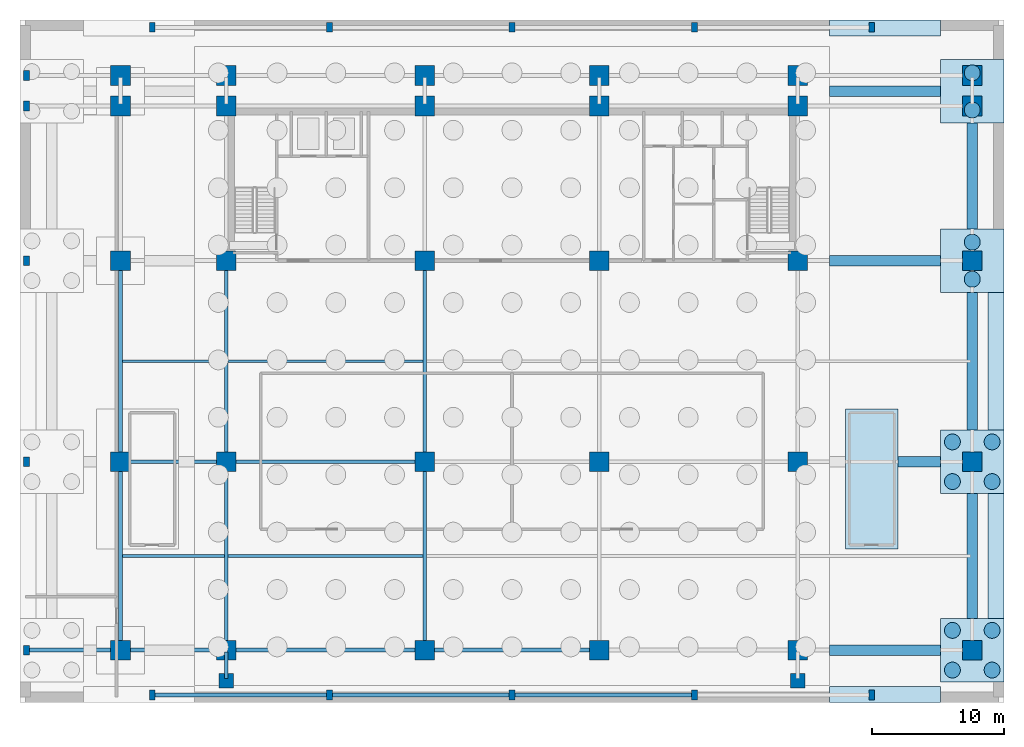
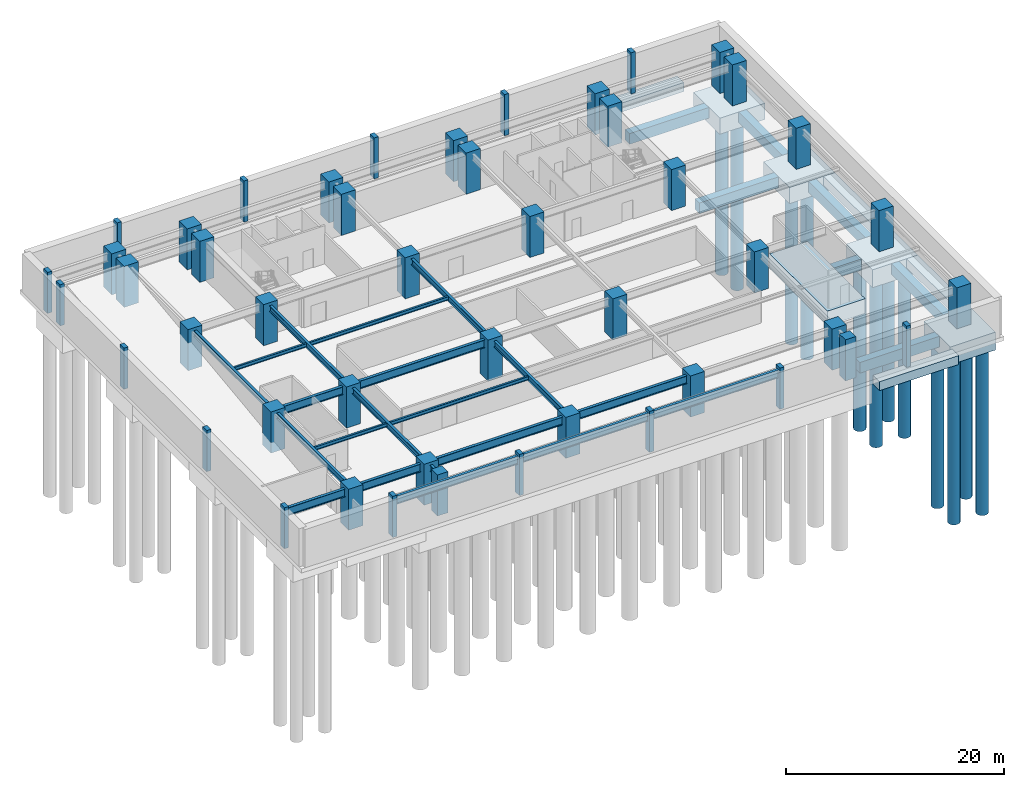
# One storey, part 2 of 9: 47 columns, 20 beams, 16 footings, 12 piles.
"""IFC4 building model written with IfcOpenShell, lengths in metres."""

from ifc_helpers import new_model, si_unit, direction, frame, origin, origin_2d, place, context, subcontext, project, spatial, polyline, rectangle, circle, i_section, outline, extrude, source, transform, mapped, material, layer, layer_set, material_profile, profile_set, type_object, element, save


model = new_model("IFC4")

# Units and contexts
model_context = context("Model", 3, precision=1e-05, world=origin(), true_north=direction((0.0, 1.0)))
body_context = subcontext(model_context, "Body", "Model", "MODEL_VIEW")
ifc_project = project(units=[si_unit("LENGTHUNIT", "METRE"), si_unit("AREAUNIT", "SQUARE_METRE"), si_unit("VOLUMEUNIT", "CUBIC_METRE"), si_unit("PLANEANGLEUNIT", "RADIAN"), si_unit("MASSUNIT", "GRAM", prefix="KILO")], contexts=[model_context])

# Site, building, storey
site_placement = place(None, origin())
site = spatial("IfcSite", under=ifc_project, at=site_placement, CompositionType="ELEMENT")
building_placement = place(site_placement, origin())
building = spatial("IfcBuilding", under=site, at=building_placement, Name="Trelvane Seafront Commons", CompositionType="ELEMENT")
storey_placement = place(building_placement, frame((0.0, 0.0, -13.199951171875)))
storey = spatial("IfcBuildingStorey", under=building, at=storey_placement, Name="B03", CompositionType="ELEMENT", Elevation=-13.199951171875)

# Footings
ifc_material_1 = material(Name="Concrete C50/60", Category="concrete")
ifc_layer_1 = layer(ifc_material_1, 1.800048828125, Name="STR-PCAP-4800")
ifc_layer_set_1 = layer_set([ifc_layer_1], Name="Concrete C50/60")
footing_type_1 = type_object("IfcFootingType", Name="STR-PCAP-4800", PredefinedType="PILE_CAP", material=ifc_layer_set_1)
footing_1_placement = place(storey_placement, frame((0.0, 0.0, -2.449951171875)))
element("IfcFooting", 1, at=footing_1_placement, inside=storey, type_object=footing_type_1, Name="Podium Pile Cap PC-05", PredefinedType="PILE_CAP", context=body_context, shape_type="SweptSolid", body=[
    extrude(outline(polyline([(69.60009765625, 1.550048828125), (74.39990234375, 1.550048828125), (74.39990234375, 6.35009765625), (69.60009765625, 6.35009765625), (69.60009765625, 1.550048828125)])), origin(), (0.0, 0.0, 1.0), 2.0),
])
footing_2_placement = place(storey_placement, frame((0.0, 0.0, -2.449951171875)))
element("IfcFooting", 2, at=footing_2_placement, inside=storey, type_object=footing_type_1, Name="Podium Pile Cap PC-06", PredefinedType="PILE_CAP", context=body_context, shape_type="SweptSolid", body=[
    extrude(outline(polyline([(69.60009765625, 15.800048828125), (74.39990234375, 15.800048828125), (74.39990234375, 20.60009765625), (69.60009765625, 20.60009765625), (69.60009765625, 15.800048828125)])), origin(), (0.0, 0.0, 1.0), 2.0),
])
footing_3_placement = place(storey_placement, frame((0.0, 0.0, -2.25)))
element("IfcFooting", 3, at=footing_3_placement, inside=storey, type_object=footing_type_1, Name="Podium Pile Cap PC-07", PredefinedType="PILE_CAP", context=body_context, shape_type="SweptSolid", body=[
    extrude(outline(polyline([(69.60009765625, 31.0), (74.39990234375, 31.0), (74.39990234375, 35.800048828125), (69.60009765625, 35.800048828125), (69.60009765625, 31.0)])), origin(), (0.0, 0.0, 1.0), 1.800048828125),
])
footing_4_placement = place(storey_placement, frame((0.0, 0.0, -2.25)))
element("IfcFooting", 4, at=footing_4_placement, inside=storey, type_object=footing_type_1, Name="Podium Pile Cap PC-08", PredefinedType="PILE_CAP", context=body_context, shape_type="SweptSolid", body=[
    extrude(outline(polyline([(69.60009765625, 43.800048828125), (74.39990234375, 43.800048828125), (74.39990234375, 48.60009765625), (69.60009765625, 48.60009765625), (69.60009765625, 43.800048828125)])), origin(), (0.0, 0.0, 1.0), 1.800048828125),
])
footing_5_placement = place(storey_placement, frame((0.0, 0.0, -1.650146484375)))
element("IfcFooting", 5, at=footing_5_placement, inside=storey, type_object=footing_type_1, Name="Podium Stair ST4 Strip Foundation", PredefinedType="PILE_CAP", context=body_context, shape_type="SweptSolid", body=[
    extrude(outline(polyline([(62.39990234375, 11.60009765625), (66.39990234375, 11.60009765625), (66.39990234375, 22.199951171875), (62.39990234375, 22.199951171875), (62.39990234375, 11.60009765625)])), origin(), (0.0, 0.0, 1.0), 1.650146484375),
])
ifc_layer_2 = layer(ifc_material_1, 1.0, Name="STR-SFT-1200x1000")
ifc_layer_set_2 = layer_set([ifc_layer_2], Name="Concrete C50/60")
footing_type_2 = type_object("IfcFootingType", Name="STR-SFT-1200x1000", PredefinedType="STRIP_FOOTING", material=ifc_layer_set_2)
footing_6_placement = place(storey_placement, frame((0.0, 0.0, -1.449951171875)))
element("IfcFooting", 6, at=footing_6_placement, inside=storey, type_object=footing_type_2, Name="Diaphragm Strip Footing SF-S-E", PredefinedType="STRIP_FOOTING", context=body_context, shape_type="SweptSolid", body=[
    extrude(outline(polyline([(61.199951171875, 0.0), (69.60009765625, 0.0), (69.60009765625, 1.199951171875), (61.199951171875, 1.199951171875), (61.199951171875, 0.0)])), origin(), (0.0, 0.0, 1.0), 1.0),
])
footing_7_placement = place(storey_placement, frame((0.0, 0.0, -1.449951171875)))
element("IfcFooting", 7, at=footing_7_placement, inside=storey, type_object=footing_type_2, Name="Diaphragm Strip Footing SF-N-E", PredefinedType="STRIP_FOOTING", context=body_context, shape_type="SweptSolid", body=[
    extrude(outline(polyline([(61.199951171875, 50.39990234375), (69.60009765625, 50.39990234375), (69.60009765625, 51.60009765625), (61.199951171875, 51.60009765625), (61.199951171875, 50.39990234375)])), origin(), (0.0, 0.0, 1.0), 1.0),
])
footing_8_placement = place(storey_placement, frame((0.0, 0.0, -1.449951171875)))
element("IfcFooting", 8, at=footing_8_placement, inside=storey, type_object=footing_type_2, Name="Diaphragm Strip Footing SF-E-M1", PredefinedType="STRIP_FOOTING", context=body_context, shape_type="SweptSolid", body=[
    extrude(outline(polyline([(73.199951171875, 6.35009765625), (74.39990234375, 6.35009765625), (74.39990234375, 15.800048828125), (73.199951171875, 15.800048828125), (73.199951171875, 6.35009765625)])), origin(), (0.0, 0.0, 1.0), 1.0),
])
footing_9_placement = place(storey_placement, frame((0.0, 0.0, -1.449951171875)))
element("IfcFooting", 9, at=footing_9_placement, inside=storey, type_object=footing_type_2, Name="Diaphragm Strip Footing SF-E-M2", PredefinedType="STRIP_FOOTING", context=body_context, shape_type="SweptSolid", body=[
    extrude(outline(polyline([(73.199951171875, 20.60009765625), (74.39990234375, 20.60009765625), (74.39990234375, 31.0), (73.199951171875, 31.0), (73.199951171875, 20.60009765625)])), origin(), (0.0, 0.0, 1.0), 1.0),
])

# Piles
ifc_material_profile_1 = material_profile(ifc_material_1, circle(Radius=0.60009765625, at=origin_2d()), Name="PILE-1200")
ifc_profile_set_1 = profile_set([ifc_material_profile_1], Name="Concrete C50/60")
pile_type = type_object("IfcPileType", Name="STR-PILE-1200", PredefinedType="BORED", material=ifc_profile_set_1)
shared_shape_1 = source(origin(), body_context, "Body", "SweptSolid", [
    extrude(circle(Radius=0.60009765625, at=origin_2d()), origin(), (0.0, 0.0, 1.0), 18.5),
])
for number, where, z_axis, x_axis, name in (
    (10, (70.5, 2.449951171875, -2.300048828125), (0.0, 0.0, -1.0), (1.0, 0.0, 0.0), "Podium Cap Bored Pile P2-05-1"),
    (11, (73.5, 2.449951171875, -2.300048828125), (0.0, 0.0, -1.0), (1.0, 0.0, 0.0), "Podium Cap Bored Pile P2-05-2"),
    (12, (70.5, 5.449951171875, -2.300048828125), (0.0, 0.0, -1.0), (1.0, 0.0, 0.0), "Podium Cap Bored Pile P2-05-3"),
    (13, (73.5, 5.449951171875, -2.300048828125), (0.0, 0.0, -1.0), (1.0, 0.0, 0.0), "Podium Cap Bored Pile P2-05-4"),
    (14, (70.5, 16.699951171875, -2.300048828125), (0.0, 0.0, -1.0), (1.0, 0.0, 0.0), "Podium Cap Bored Pile P2-06-1"),
    (15, (73.5, 16.699951171875, -2.300048828125), (0.0, 0.0, -1.0), (1.0, 0.0, 0.0), "Podium Cap Bored Pile P2-06-2"),
    (16, (70.5, 19.699951171875, -2.300048828125), (0.0, 0.0, -1.0), (1.0, 0.0, 0.0), "Podium Cap Bored Pile P2-06-3"),
    (17, (73.5, 19.699951171875, -2.300048828125), (0.0, 0.0, -1.0), (1.0, 0.0, 0.0), "Podium Cap Bored Pile P2-06-4"),
):
    element("IfcPile", number, at=place(storey_placement, frame(where, z_axis=z_axis, x_axis=x_axis)), inside=storey, type_object=pile_type, Name=name, PredefinedType="BORED", context=body_context, shape_type="MappedRepresentation", body=[
        mapped(shared_shape_1, transform((0.0, 0.0, 0.0), x_axis=(1.0, 0.0, 0.0), y_axis=(0.0, 1.0, 0.0), z_axis=(0.0, 0.0, 1.0), scale=1.0)),
    ])
shared_shape_2 = source(origin(), body_context, "Body", "SweptSolid", [
    extrude(circle(Radius=0.60009765625, at=origin_2d()), origin(), (0.0, 0.0, 1.0), 18.699951171875),
])
for number, where, z_axis, x_axis, name in (
    (18, (72.0, 32.0, -2.10009765625), (0.0, 0.0, -1.0), (1.0, 0.0, 0.0), "Podium Cap Bored Pile P2-07-1"),
    (19, (72.0, 34.800048828125, -2.10009765625), (0.0, 0.0, -1.0), (1.0, 0.0, 0.0), "Podium Cap Bored Pile P2-07-2"),
    (20, (72.0, 44.800048828125, -2.10009765625), (0.0, 0.0, -1.0), (1.0, 0.0, 0.0), "Podium Cap Bored Pile P2-08-1"),
    (21, (72.0, 47.60009765625, -2.10009765625), (0.0, 0.0, -1.0), (1.0, 0.0, 0.0), "Podium Cap Bored Pile P2-08-2"),
):
    element("IfcPile", number, at=place(storey_placement, frame(where, z_axis=z_axis, x_axis=x_axis)), inside=storey, type_object=pile_type, Name=name, PredefinedType="BORED", context=body_context, shape_type="MappedRepresentation", body=[
        mapped(shared_shape_2, transform((0.0, 0.0, 0.0), x_axis=(1.0, 0.0, 0.0), y_axis=(0.0, 1.0, 0.0), z_axis=(0.0, 0.0, 1.0), scale=1.0)),
    ])

# Footings
ifc_material_profile_2 = material_profile(ifc_material_1, rectangle(XDim=0.800048828125, YDim=1.199951171875, at=origin_2d()), Name="TB-800x1200")
ifc_profile_set_2 = profile_set([ifc_material_profile_2], Name="Concrete C50/60")
footing_type_3 = type_object("IfcFootingType", Name="STR-FBM-800x1200", PredefinedType="FOOTING_BEAM", material=ifc_profile_set_2)
shared_shape_3 = source(origin(), body_context, "Body", "SweptSolid", [
    extrude(rectangle(XDim=0.800048828125, YDim=1.199951171875, at=origin_2d()), origin(), (0.0, 0.0, 1.0), 9.449951171875),
])
footing_10_placement = place(storey_placement, frame((72.0, 6.35009765625, -1.050048828125), z_axis=(0.0, 1.0, 0.0), x_axis=(-1.0, 0.0, 0.0)))
element("IfcFooting", 22, at=footing_10_placement, inside=storey, type_object=footing_type_3, Name="Foundation Tie Beam TB-17", PredefinedType="FOOTING_BEAM", context=body_context, shape_type="MappedRepresentation", body=[
    mapped(shared_shape_3, transform((0.0, 0.0, 0.0), x_axis=(1.0, 0.0, 0.0), y_axis=(0.0, 1.0, 0.0), z_axis=(0.0, 0.0, 1.0), scale=1.0)),
])
shared_shape_4 = source(origin(), body_context, "Body", "SweptSolid", [
    extrude(rectangle(XDim=0.800048828125, YDim=1.199951171875, at=origin_2d()), origin(), (0.0, 0.0, 1.0), 10.39990234375),
])
footing_11_placement = place(storey_placement, frame((72.0, 20.60009765625, -1.050048828125), z_axis=(0.0, 1.0, 0.0), x_axis=(-1.0, 0.0, 0.0)))
element("IfcFooting", 23, at=footing_11_placement, inside=storey, type_object=footing_type_3, Name="Foundation Tie Beam TB-18", PredefinedType="FOOTING_BEAM", context=body_context, shape_type="MappedRepresentation", body=[
    mapped(shared_shape_4, transform((0.0, 0.0, 0.0), x_axis=(1.0, 0.0, 0.0), y_axis=(0.0, 1.0, 0.0), z_axis=(0.0, 0.0, 1.0), scale=1.0)),
])
shared_shape_5 = source(origin(), body_context, "Body", "SweptSolid", [
    extrude(rectangle(XDim=0.800048828125, YDim=1.199951171875, at=origin_2d()), origin(), (0.0, 0.0, 1.0), 8.0),
])
footing_12_placement = place(storey_placement, frame((72.0, 35.800048828125, -1.050048828125), z_axis=(0.0, 1.0, 0.0), x_axis=(-1.0, 0.0, 0.0)))
element("IfcFooting", 24, at=footing_12_placement, inside=storey, type_object=footing_type_3, Name="Foundation Tie Beam TB-19", PredefinedType="FOOTING_BEAM", context=body_context, shape_type="MappedRepresentation", body=[
    mapped(shared_shape_5, transform((0.0, 0.0, 0.0), x_axis=(1.0, 0.0, 0.0), y_axis=(0.0, 1.0, 0.0), z_axis=(0.0, 0.0, 1.0), scale=1.0)),
])
shared_shape_6 = source(origin(), body_context, "Body", "SweptSolid", [
    extrude(rectangle(XDim=0.800048828125, YDim=1.199951171875, at=origin_2d()), origin(), (0.0, 0.0, 1.0), 8.400146484375),
])
for number, where, z_axis, x_axis, name in (
    (25, (61.199951171875, 3.949951171875, -1.050048828125), (1.0, 0.0, 0.0), (0.0, 1.0, 0.0), "Foundation Tie Beam TB-12"),
    (26, (61.199951171875, 33.39990234375, -1.050048828125), (1.0, 0.0, 0.0), (0.0, 1.0, 0.0), "Foundation Tie Beam TB-15"),
    (27, (61.199951171875, 46.199951171875, -1.050048828125), (1.0, 0.0, 0.0), (0.0, 1.0, 0.0), "Foundation Tie Beam TB-16"),
):
    element("IfcFooting", number, at=place(storey_placement, frame(where, z_axis=z_axis, x_axis=x_axis)), inside=storey, type_object=footing_type_3, Name=name, PredefinedType="FOOTING_BEAM", context=body_context, shape_type="MappedRepresentation", body=[
        mapped(shared_shape_6, transform((0.0, 0.0, 0.0), x_axis=(1.0, 0.0, 0.0), y_axis=(0.0, 1.0, 0.0), z_axis=(0.0, 0.0, 1.0), scale=1.0)),
    ])
shared_shape_7 = source(origin(), body_context, "Body", "SweptSolid", [
    extrude(rectangle(XDim=0.800048828125, YDim=1.199951171875, at=origin_2d()), origin(), (0.0, 0.0, 1.0), 3.2001953125),
])
footing_13_placement = place(storey_placement, frame((66.39990234375, 18.199951171875, -1.050048828125), z_axis=(1.0, 0.0, 0.0), x_axis=(0.0, 1.0, 0.0)))
element("IfcFooting", 28, at=footing_13_placement, inside=storey, type_object=footing_type_3, Name="Foundation Tie Beam TB-14", PredefinedType="FOOTING_BEAM", context=body_context, shape_type="MappedRepresentation", body=[
    mapped(shared_shape_7, transform((0.0, 0.0, 0.0), x_axis=(1.0, 0.0, 0.0), y_axis=(0.0, 1.0, 0.0), z_axis=(0.0, 0.0, 1.0), scale=1.0)),
])

# Columns
ifc_material_profile_3 = material_profile(ifc_material_1, rectangle(XDim=0.449951171875, YDim=0.75, at=origin_2d()), Name="RC-450x750")
ifc_profile_set_3 = profile_set([ifc_material_profile_3], Name="Concrete C50/60")
column_type_1 = type_object("IfcColumnType", Name="STR-PIL-RC450x750", PredefinedType="PILASTER", material=ifc_profile_set_3)
shared_shape_8 = source(origin(), body_context, "Body", "SweptSolid", [
    extrude(rectangle(XDim=0.449951171875, YDim=0.75, at=origin_2d()), origin(), (0.0, 0.0, 1.0), 4.599853515625),
])
for number, where, z_axis, x_axis, name in (
    (29, (0.5, 3.949951171875, 0.0), (0.0, 0.0, 1.0), (1.0, 0.0, 0.0), "B03 Column PC-1-1"),
    (30, (0.5, 18.199951171875, 0.0), (0.0, 0.0, 1.0), (1.0, 0.0, 0.0), "B03 Column PC-1-2"),
    (31, (0.5, 33.39990234375, 0.0), (0.0, 0.0, 1.0), (1.0, 0.0, 0.0), "B03 Column PC-1-3"),
    (32, (0.5, 45.10009765625, 0.0), (0.0, 0.0, 1.0), (1.0, 0.0, 0.0), "B03 Column PC-1-4"),
    (33, (0.5, 47.39990234375, 0.0), (0.0, 0.0, 1.0), (1.0, 0.0, 0.0), "B03 Column PC-1-5"),
    (34, (10.0, 0.550048828125, 0.0), (0.0, 0.0, 1.0), (1.0, 0.0, 0.0), "B03 Column PIL-S1"),
    (35, (10.0, 51.050048828125, 0.0), (0.0, 0.0, 1.0), (1.0, 0.0, 0.0), "B03 Column PIL-N1"),
    (36, (23.39990234375, 0.550048828125, 0.0), (0.0, 0.0, 1.0), (1.0, 0.0, 0.0), "B03 Column PIL-S2"),
    (37, (23.39990234375, 51.050048828125, 0.0), (0.0, 0.0, 1.0), (1.0, 0.0, 0.0), "B03 Column PIL-N2"),
    (38, (37.199951171875, 0.550048828125, 0.0), (0.0, 0.0, 1.0), (1.0, 0.0, 0.0), "B03 Column PIL-S3"),
    (39, (37.199951171875, 51.050048828125, 0.0), (0.0, 0.0, 1.0), (1.0, 0.0, 0.0), "B03 Column PIL-N3"),
    (40, (51.0, 0.550048828125, 0.0), (0.0, 0.0, 1.0), (1.0, 0.0, 0.0), "B03 Column PIL-S4"),
    (41, (51.0, 51.050048828125, 0.0), (0.0, 0.0, 1.0), (1.0, 0.0, 0.0), "B03 Column PIL-N4"),
    (42, (64.39990234375, 0.550048828125, 0.0), (0.0, 0.0, 1.0), (1.0, 0.0, 0.0), "B03 Column PIL-S5"),
    (43, (64.39990234375, 51.050048828125, 0.0), (0.0, 0.0, 1.0), (1.0, 0.0, 0.0), "B03 Column PIL-N5"),
):
    element("IfcColumn", number, at=place(storey_placement, frame(where, z_axis=z_axis, x_axis=x_axis)), inside=storey, type_object=column_type_1, Name=name, PredefinedType="PILASTER", context=body_context, shape_type="MappedRepresentation", body=[
        mapped(shared_shape_8, transform((0.0, 0.0, 0.0), x_axis=(1.0, 0.0, 0.0), y_axis=(0.0, 1.0, 0.0), z_axis=(0.0, 0.0, 1.0), scale=1.0)),
    ])
ifc_material_2 = material(Name="Concrete C60/75", Category="concrete")
ifc_material_profile_4 = material_profile(ifc_material_2, rectangle(XDim=1.5, YDim=1.5, at=origin_2d()), Name="RC-1500x1500")
ifc_profile_set_4 = profile_set([ifc_material_profile_4], Name="Concrete C60/75")
column_type_2 = type_object("IfcColumnType", Name="STR-COL-RC1500", PredefinedType="COLUMN", material=ifc_profile_set_4)
shared_shape_9 = source(origin(), body_context, "Body", "SweptSolid", [
    extrude(rectangle(XDim=1.5, YDim=1.5, at=origin_2d()), origin(), (0.0, 0.0, 1.0), 4.599853515625),
])
for number, where, z_axis, x_axis, name in (
    (44, (7.60009765625, 3.949951171875, 0.0), (0.0, 0.0, 1.0), (1.0, 0.0, 0.0), "B03 Column PC-2-1"),
    (45, (7.60009765625, 18.199951171875, 0.0), (0.0, 0.0, 1.0), (1.0, 0.0, 0.0), "B03 Column PC-2-2"),
    (46, (7.60009765625, 33.39990234375, 0.0), (0.0, 0.0, 1.0), (1.0, 0.0, 0.0), "B03 Column PC-2-3"),
    (47, (7.60009765625, 45.10009765625, 0.0), (0.0, 0.0, 1.0), (1.0, 0.0, 0.0), "B03 Column PC-2-4"),
    (48, (7.60009765625, 47.39990234375, 0.0), (0.0, 0.0, 1.0), (1.0, 0.0, 0.0), "B03 Column PC-2-5"),
    (49, (15.60009765625, 3.949951171875, 0.0), (0.0, 0.0, 1.0), (1.0, 0.0, 0.0), "B03 Column PC-3-1"),
    (50, (15.60009765625, 18.199951171875, 0.0), (0.0, 0.0, 1.0), (1.0, 0.0, 0.0), "B03 Column PC-3-2"),
    (51, (15.60009765625, 33.39990234375, 0.0), (0.0, 0.0, 1.0), (1.0, 0.0, 0.0), "B03 Column PC-3-3"),
    (52, (15.60009765625, 45.10009765625, 0.0), (0.0, 0.0, 1.0), (1.0, 0.0, 0.0), "B03 Column PC-3-4"),
    (53, (15.60009765625, 47.39990234375, 0.0), (0.0, 0.0, 1.0), (1.0, 0.0, 0.0), "B03 Column PC-3-5"),
    (54, (30.60009765625, 3.949951171875, 0.0), (0.0, 0.0, 1.0), (1.0, 0.0, 0.0), "B03 Column PC-4-1"),
    (55, (30.60009765625, 18.199951171875, 0.0), (0.0, 0.0, 1.0), (1.0, 0.0, 0.0), "B03 Column PC-4-2"),
    (56, (30.60009765625, 33.39990234375, 0.0), (0.0, 0.0, 1.0), (1.0, 0.0, 0.0), "B03 Column PC-4-3"),
    (57, (30.60009765625, 45.10009765625, 0.0), (0.0, 0.0, 1.0), (1.0, 0.0, 0.0), "B03 Column PC-4-4"),
    (58, (30.60009765625, 47.39990234375, 0.0), (0.0, 0.0, 1.0), (1.0, 0.0, 0.0), "B03 Column PC-4-5"),
    (59, (43.800048828125, 3.949951171875, 0.0), (0.0, 0.0, 1.0), (1.0, 0.0, 0.0), "B03 Column PC-5-1"),
    (60, (43.800048828125, 18.199951171875, 0.0), (0.0, 0.0, 1.0), (1.0, 0.0, 0.0), "B03 Column PC-5-2"),
    (61, (43.800048828125, 33.39990234375, 0.0), (0.0, 0.0, 1.0), (1.0, 0.0, 0.0), "B03 Column PC-5-3"),
    (62, (43.800048828125, 45.10009765625, 0.0), (0.0, 0.0, 1.0), (1.0, 0.0, 0.0), "B03 Column PC-5-4"),
    (63, (43.800048828125, 47.39990234375, 0.0), (0.0, 0.0, 1.0), (1.0, 0.0, 0.0), "B03 Column PC-5-5"),
    (64, (58.800048828125, 3.949951171875, 0.0), (0.0, 0.0, 1.0), (1.0, 0.0, 0.0), "B03 Column PC-6-1"),
    (65, (58.800048828125, 18.199951171875, 0.0), (0.0, 0.0, 1.0), (1.0, 0.0, 0.0), "B03 Column PC-6-2"),
    (66, (58.800048828125, 33.39990234375, 0.0), (0.0, 0.0, 1.0), (1.0, 0.0, 0.0), "B03 Column PC-6-3"),
    (67, (58.800048828125, 45.10009765625, 0.0), (0.0, 0.0, 1.0), (1.0, 0.0, 0.0), "B03 Column PC-6-4"),
    (68, (58.800048828125, 47.39990234375, 0.0), (0.0, 0.0, 1.0), (1.0, 0.0, 0.0), "B03 Column PC-6-5"),
    (69, (72.0, 3.949951171875, 0.0), (0.0, 0.0, 1.0), (1.0, 0.0, 0.0), "B03 Column PC-7-1"),
    (70, (72.0, 18.199951171875, 0.0), (0.0, 0.0, 1.0), (1.0, 0.0, 0.0), "B03 Column PC-7-2"),
    (71, (72.0, 33.39990234375, 0.0), (0.0, 0.0, 1.0), (1.0, 0.0, 0.0), "B03 Column PC-7-3"),
    (72, (72.0, 45.10009765625, 0.0), (0.0, 0.0, 1.0), (1.0, 0.0, 0.0), "B03 Column PC-7-4"),
    (73, (72.0, 47.39990234375, 0.0), (0.0, 0.0, 1.0), (1.0, 0.0, 0.0), "B03 Column PC-7-5"),
):
    element("IfcColumn", number, at=place(storey_placement, frame(where, z_axis=z_axis, x_axis=x_axis)), inside=storey, type_object=column_type_2, Name=name, PredefinedType="COLUMN", context=body_context, shape_type="MappedRepresentation", body=[
        mapped(shared_shape_9, transform((0.0, 0.0, 0.0), x_axis=(1.0, 0.0, 0.0), y_axis=(0.0, 1.0, 0.0), z_axis=(0.0, 0.0, 1.0), scale=1.0)),
    ])
ifc_material_profile_5 = material_profile(ifc_material_2, rectangle(XDim=1.10009765625, YDim=1.10009765625, at=origin_2d()), Name="RC-1100x1100")
ifc_profile_set_5 = profile_set([ifc_material_profile_5], Name="Concrete C60/75")
column_type_3 = type_object("IfcColumnType", Name="STR-COL-RC1100", PredefinedType="COLUMN", material=ifc_profile_set_5)
shared_shape_10 = source(origin(), body_context, "Body", "SweptSolid", [
    extrude(rectangle(XDim=1.10009765625, YDim=1.10009765625, at=origin_2d()), origin(), (0.0, 0.0, 1.0), 4.599853515625),
])
for number, where, z_axis, x_axis, name in (
    (74, (15.60009765625, 1.64990234375, 0.0), (0.0, 0.0, 1.0), (1.0, 0.0, 0.0), "B03 Column PIL-VP-W"),
    (75, (58.800048828125, 1.64990234375, 0.0), (0.0, 0.0, 1.0), (1.0, 0.0, 0.0), "B03 Column PIL-VP-E"),
):
    element("IfcColumn", number, at=place(storey_placement, frame(where, z_axis=z_axis, x_axis=x_axis)), inside=storey, type_object=column_type_3, Name=name, PredefinedType="COLUMN", context=body_context, shape_type="MappedRepresentation", body=[
        mapped(shared_shape_10, transform((0.0, 0.0, 0.0), x_axis=(1.0, 0.0, 0.0), y_axis=(0.0, 1.0, 0.0), z_axis=(0.0, 0.0, 1.0), scale=1.0)),
    ])

# Beams
ifc_material_3 = material(Name="Steel SM355 (S355)", Category="steel")
ifc_material_profile_6 = material_profile(ifc_material_3, i_section(OverallWidth=0.300048828125, OverallDepth=0.89990234375, WebThickness=0.01611328125, FlangeThickness=0.028076171875, at=origin_2d()), Name="H-900x300x16x28")
ifc_profile_set_6 = profile_set([ifc_material_profile_6], Name="Steel SM355 (S355)")
beam_type_1 = type_object("IfcBeamType", Name="STR-BM-H900", PredefinedType="BEAM", material=ifc_profile_set_6)
shared_shape_11 = source(origin(), body_context, "Body", "SweptSolid", [
    extrude(i_section(OverallWidth=0.300048828125, OverallDepth=0.89990234375, WebThickness=0.01611328125, FlangeThickness=0.028076171875, at=origin_2d()), origin(), (0.0, 0.0, 1.0), 13.175048828125),
])
beam_1_placement = place(storey_placement, frame((10.112548828125, 0.550048828125, 3.829833984375), z_axis=(1.0, 0.0, 0.0), x_axis=(0.0, 1.0, 0.0)))
element("IfcBeam", 76, at=beam_1_placement, inside=storey, type_object=beam_type_1, Name="B03 Primary Girder G-01", PredefinedType="BEAM", context=body_context, shape_type="MappedRepresentation", body=[
    mapped(shared_shape_11, transform((0.0, 0.0, 0.0), x_axis=(1.0, 0.0, 0.0), y_axis=(0.0, 1.0, 0.0), z_axis=(0.0, 0.0, 1.0), scale=1.0)),
])
shared_shape_12 = source(origin(), body_context, "Body", "SweptSolid", [
    extrude(i_section(OverallWidth=0.300048828125, OverallDepth=0.89990234375, WebThickness=0.01611328125, FlangeThickness=0.028076171875, at=origin_2d()), origin(), (0.0, 0.0, 1.0), 13.574951171875),
])
for number, where, z_axis, x_axis, name in (
    (77, (23.512451171875, 0.550048828125, 3.829833984375), (1.0, 0.0, 0.0), (0.0, 1.0, 0.0), "B03 Primary Girder G-02"),
    (78, (37.3125, 0.550048828125, 3.829833984375), (1.0, 0.0, 0.0), (0.0, 1.0, 0.0), "B03 Primary Girder G-03"),
):
    element("IfcBeam", number, at=place(storey_placement, frame(where, z_axis=z_axis, x_axis=x_axis)), inside=storey, type_object=beam_type_1, Name=name, PredefinedType="BEAM", context=body_context, shape_type="MappedRepresentation", body=[
        mapped(shared_shape_12, transform((0.0, 0.0, 0.0), x_axis=(1.0, 0.0, 0.0), y_axis=(0.0, 1.0, 0.0), z_axis=(0.0, 0.0, 1.0), scale=1.0)),
    ])
shared_shape_13 = source(origin(), body_context, "Body", "SweptSolid", [
    extrude(i_section(OverallWidth=0.300048828125, OverallDepth=0.89990234375, WebThickness=0.01611328125, FlangeThickness=0.028076171875, at=origin_2d()), origin(), (0.0, 0.0, 1.0), 6.83740234375),
])
beam_2_placement = place(storey_placement, frame((0.612548828125, 3.949951171875, 3.829833984375), z_axis=(1.0, 0.0, 0.0), x_axis=(0.0, 1.0, 0.0)))
element("IfcBeam", 79, at=beam_2_placement, inside=storey, type_object=beam_type_1, Name="B03 Primary Girder G-05", PredefinedType="BEAM", context=body_context, shape_type="MappedRepresentation", body=[
    mapped(shared_shape_13, transform((0.0, 0.0, 0.0), x_axis=(1.0, 0.0, 0.0), y_axis=(0.0, 1.0, 0.0), z_axis=(0.0, 0.0, 1.0), scale=1.0)),
])
shared_shape_14 = source(origin(), body_context, "Body", "SweptSolid", [
    extrude(i_section(OverallWidth=0.300048828125, OverallDepth=0.89990234375, WebThickness=0.01611328125, FlangeThickness=0.028076171875, at=origin_2d()), origin(), (0.0, 0.0, 1.0), 7.699951171875),
])
for number, where, z_axis, x_axis, name in (
    (80, (7.75, 3.949951171875, 3.829833984375), (1.0, 0.0, 0.0), (0.0, 1.0, 0.0), "B03 Primary Girder G-06"),
    (81, (7.75, 18.199951171875, 3.829833984375), (1.0, 0.0, 0.0), (0.0, 1.0, 0.0), "B03 Primary Girder G-12"),
):
    element("IfcBeam", number, at=place(storey_placement, frame(where, z_axis=z_axis, x_axis=x_axis)), inside=storey, type_object=beam_type_1, Name=name, PredefinedType="BEAM", context=body_context, shape_type="MappedRepresentation", body=[
        mapped(shared_shape_14, transform((0.0, 0.0, 0.0), x_axis=(1.0, 0.0, 0.0), y_axis=(0.0, 1.0, 0.0), z_axis=(0.0, 0.0, 1.0), scale=1.0)),
    ])
shared_shape_15 = source(origin(), body_context, "Body", "SweptSolid", [
    extrude(i_section(OverallWidth=0.300048828125, OverallDepth=0.89990234375, WebThickness=0.01611328125, FlangeThickness=0.028076171875, at=origin_2d()), origin(), (0.0, 0.0, 1.0), 14.699951171875),
])
for number, where, z_axis, x_axis, name in (
    (82, (15.75, 3.949951171875, 3.829833984375), (1.0, 0.0, 0.0), (0.0, 1.0, 0.0), "B03 Primary Girder G-07"),
    (83, (15.75, 18.199951171875, 3.829833984375), (1.0, 0.0, 0.0), (0.0, 1.0, 0.0), "B03 Primary Girder G-13"),
):
    element("IfcBeam", number, at=place(storey_placement, frame(where, z_axis=z_axis, x_axis=x_axis)), inside=storey, type_object=beam_type_1, Name=name, PredefinedType="BEAM", context=body_context, shape_type="MappedRepresentation", body=[
        mapped(shared_shape_15, transform((0.0, 0.0, 0.0), x_axis=(1.0, 0.0, 0.0), y_axis=(0.0, 1.0, 0.0), z_axis=(0.0, 0.0, 1.0), scale=1.0)),
    ])
shared_shape_16 = source(origin(), body_context, "Body", "SweptSolid", [
    extrude(i_section(OverallWidth=0.300048828125, OverallDepth=0.89990234375, WebThickness=0.01611328125, FlangeThickness=0.028076171875, at=origin_2d()), origin(), (0.0, 0.0, 1.0), 12.89990234375),
])
beam_3_placement = place(storey_placement, frame((30.75, 3.949951171875, 3.829833984375), z_axis=(1.0, 0.0, 0.0), x_axis=(0.0, 1.0, 0.0)))
element("IfcBeam", 84, at=beam_3_placement, inside=storey, type_object=beam_type_1, Name="B03 Primary Girder G-08", PredefinedType="BEAM", context=body_context, shape_type="MappedRepresentation", body=[
    mapped(shared_shape_16, transform((0.0, 0.0, 0.0), x_axis=(1.0, 0.0, 0.0), y_axis=(0.0, 1.0, 0.0), z_axis=(0.0, 0.0, 1.0), scale=1.0)),
])
ifc_material_profile_7 = material_profile(ifc_material_3, i_section(OverallWidth=0.280029296875, OverallDepth=0.64990234375, WebThickness=0.012939453125, FlangeThickness=0.02197265625, at=origin_2d()), Name="H-650x280x13x22")
ifc_profile_set_7 = profile_set([ifc_material_profile_7], Name="Steel SM355 (S355)")
beam_type_2 = type_object("IfcBeamType", Name="STR-BM-H650", PredefinedType="BEAM", material=ifc_profile_set_7)
shared_shape_17 = source(origin(), body_context, "Body", "SweptSolid", [
    extrude(i_section(OverallWidth=0.280029296875, OverallDepth=0.64990234375, WebThickness=0.012939453125, FlangeThickness=0.02197265625, at=origin_2d()), origin(), (0.0, 0.0, 1.0), 13.949951171875),
])
for number, where, z_axis, x_axis, name in (
    (85, (7.60009765625, 4.10009765625, 3.954833984375), (0.0, 1.0, 0.0), (-1.0, 0.0, 0.0), "B03 Primary Girder G-39"),
    (86, (15.60009765625, 4.10009765625, 3.954833984375), (0.0, 1.0, 0.0), (-1.0, 0.0, 0.0), "B03 Primary Girder G-44"),
    (87, (30.60009765625, 4.10009765625, 3.954833984375), (0.0, 1.0, 0.0), (-1.0, 0.0, 0.0), "B03 Primary Girder G-48"),
):
    element("IfcBeam", number, at=place(storey_placement, frame(where, z_axis=z_axis, x_axis=x_axis)), inside=storey, type_object=beam_type_2, Name=name, PredefinedType="BEAM", context=body_context, shape_type="MappedRepresentation", body=[
        mapped(shared_shape_17, transform((0.0, 0.0, 0.0), x_axis=(1.0, 0.0, 0.0), y_axis=(0.0, 1.0, 0.0), z_axis=(0.0, 0.0, 1.0), scale=1.0)),
    ])
shared_shape_18 = source(origin(), body_context, "Body", "SweptSolid", [
    extrude(i_section(OverallWidth=0.280029296875, OverallDepth=0.64990234375, WebThickness=0.012939453125, FlangeThickness=0.02197265625, at=origin_2d()), origin(), (0.0, 0.0, 1.0), 14.89990234375),
])
for number, where, z_axis, x_axis, name in (
    (88, (7.60009765625, 18.35009765625, 3.954833984375), (0.0, 1.0, 0.0), (-1.0, 0.0, 0.0), "B03 Primary Girder G-40"),
    (89, (15.60009765625, 18.35009765625, 3.954833984375), (0.0, 1.0, 0.0), (-1.0, 0.0, 0.0), "B03 Primary Girder G-45"),
    (90, (30.60009765625, 18.35009765625, 3.954833984375), (0.0, 1.0, 0.0), (-1.0, 0.0, 0.0), "B03 Primary Girder G-49"),
):
    element("IfcBeam", number, at=place(storey_placement, frame(where, z_axis=z_axis, x_axis=x_axis)), inside=storey, type_object=beam_type_2, Name=name, PredefinedType="BEAM", context=body_context, shape_type="MappedRepresentation", body=[
        mapped(shared_shape_18, transform((0.0, 0.0, 0.0), x_axis=(1.0, 0.0, 0.0), y_axis=(0.0, 1.0, 0.0), z_axis=(0.0, 0.0, 1.0), scale=1.0)),
    ])
shared_shape_19 = source(origin(), body_context, "Body", "SweptSolid", [
    extrude(i_section(OverallWidth=0.280029296875, OverallDepth=0.64990234375, WebThickness=0.012939453125, FlangeThickness=0.02197265625, at=origin_2d()), origin(), (0.0, 0.0, 1.0), 2.0),
])
beam_4_placement = place(storey_placement, frame((15.60009765625, 1.800048828125, 3.954833984375), z_axis=(0.0, 1.0, 0.0), x_axis=(-1.0, 0.0, 0.0)))
element("IfcBeam", 91, at=beam_4_placement, inside=storey, type_object=beam_type_2, Name="B03 Primary Girder G-43", PredefinedType="BEAM", context=body_context, shape_type="MappedRepresentation", body=[
    mapped(shared_shape_19, transform((0.0, 0.0, 0.0), x_axis=(1.0, 0.0, 0.0), y_axis=(0.0, 1.0, 0.0), z_axis=(0.0, 0.0, 1.0), scale=1.0)),
])
ifc_material_profile_8 = material_profile(ifc_material_3, i_section(OverallWidth=0.199951171875, OverallDepth=0.39990234375, WebThickness=0.008056640625, FlangeThickness=0.012939453125, at=origin_2d()), Name="H-400x200x8x13")
ifc_profile_set_8 = profile_set([ifc_material_profile_8], Name="Steel SM355 (S355)")
beam_type_3 = type_object("IfcBeamType", Name="STR-JST-H400", PredefinedType="JOIST", material=ifc_profile_set_8)
shared_shape_20 = source(origin(), body_context, "Body", "SweptSolid", [
    extrude(i_section(OverallWidth=0.199951171875, OverallDepth=0.39990234375, WebThickness=0.008056640625, FlangeThickness=0.012939453125, at=origin_2d()), origin(), (0.0, 0.0, 1.0), 7.719970703125),
])
for number, where, z_axis, x_axis, name in (
    (92, (7.739990234375, 11.074951171875, 4.079833984375), (1.0, 0.0, 0.0), (0.0, 1.0, 0.0), "B03 Secondary Floor Joist B-65"),
    (93, (7.739990234375, 25.800048828125, 4.079833984375), (1.0, 0.0, 0.0), (0.0, 1.0, 0.0), "B03 Secondary Floor Joist B-70"),
):
    element("IfcBeam", number, at=place(storey_placement, frame(where, z_axis=z_axis, x_axis=x_axis)), inside=storey, type_object=beam_type_3, Name=name, PredefinedType="JOIST", context=body_context, shape_type="MappedRepresentation", body=[
        mapped(shared_shape_20, transform((0.0, 0.0, 0.0), x_axis=(1.0, 0.0, 0.0), y_axis=(0.0, 1.0, 0.0), z_axis=(0.0, 0.0, 1.0), scale=1.0)),
    ])
shared_shape_21 = source(origin(), body_context, "Body", "SweptSolid", [
    extrude(i_section(OverallWidth=0.199951171875, OverallDepth=0.39990234375, WebThickness=0.008056640625, FlangeThickness=0.012939453125, at=origin_2d()), origin(), (0.0, 0.0, 1.0), 14.719970703125),
])
for number, where, z_axis, x_axis, name in (
    (94, (15.739990234375, 11.074951171875, 4.079833984375), (1.0, 0.0, 0.0), (0.0, 1.0, 0.0), "B03 Secondary Floor Joist B-66"),
    (95, (15.739990234375, 25.800048828125, 4.079833984375), (1.0, 0.0, 0.0), (0.0, 1.0, 0.0), "B03 Secondary Floor Joist B-71"),
):
    element("IfcBeam", number, at=place(storey_placement, frame(where, z_axis=z_axis, x_axis=x_axis)), inside=storey, type_object=beam_type_3, Name=name, PredefinedType="JOIST", context=body_context, shape_type="MappedRepresentation", body=[
        mapped(shared_shape_21, transform((0.0, 0.0, 0.0), x_axis=(1.0, 0.0, 0.0), y_axis=(0.0, 1.0, 0.0), z_axis=(0.0, 0.0, 1.0), scale=1.0)),
    ])

save(model, "model.ifc")
